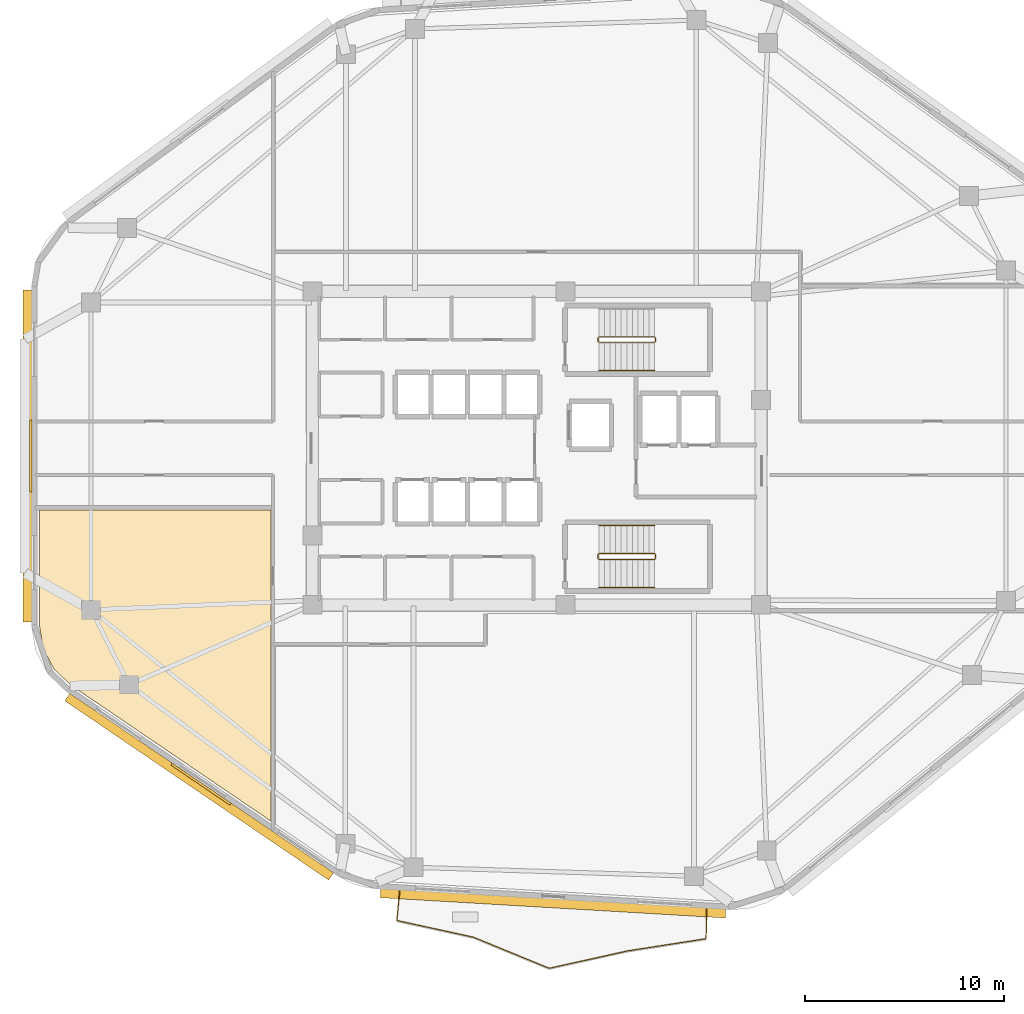
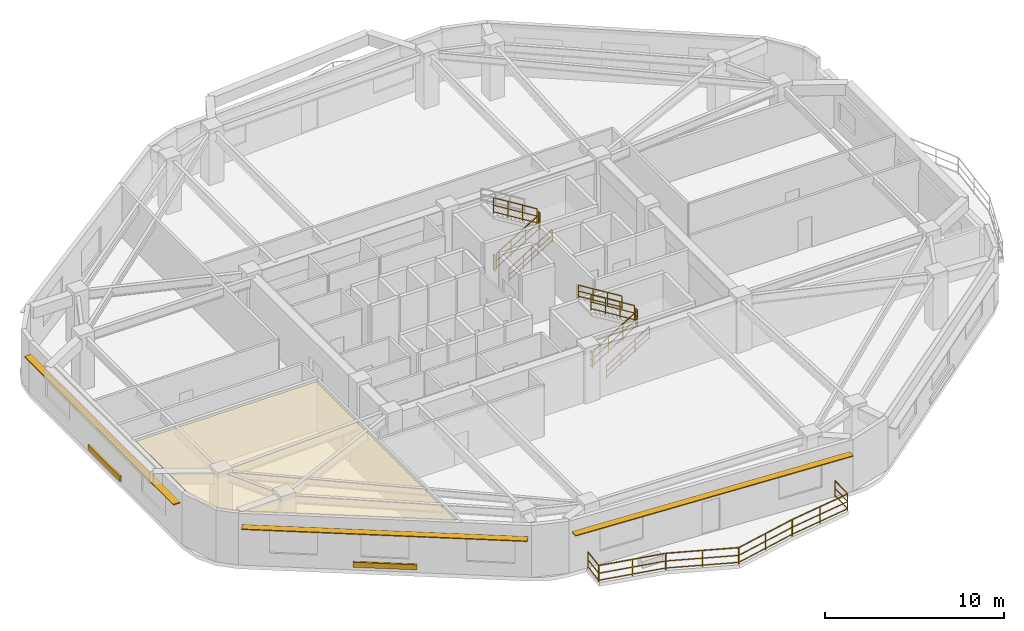
# One storey, part 7 of 8: 17 railings, 5 shading devices, 1 covering.
"""IFC4 building model written with IfcOpenShell, lengths in metres."""

from ifc_helpers import new_model, si_unit, direction, frame, origin, origin_2d, place, context, subcontext, project, spatial, polyline, rectangle, outline, extrude, material, layer, layer_set, type_object, element, save


model = new_model("IFC4")

# Units and contexts
model_context = context("Model", 3, precision=1e-05, world=origin(), true_north=direction((0.0, 1.0)))
body_context = subcontext(model_context, "Body", "Model", "MODEL_VIEW")
ifc_project = project(units=[si_unit("LENGTHUNIT", "METRE"), si_unit("AREAUNIT", "SQUARE_METRE"), si_unit("VOLUMEUNIT", "CUBIC_METRE"), si_unit("PLANEANGLEUNIT", "RADIAN"), si_unit("MASSUNIT", "GRAM", prefix="KILO")], contexts=[model_context])

# Site, building, storey
site_placement = place(None, origin())
site = spatial("IfcSite", under=ifc_project, at=site_placement, CompositionType="ELEMENT")
building_placement = place(site_placement, origin())
building = spatial("IfcBuilding", under=site, at=building_placement, Name="Zulverin Broadcast Headquarters", CompositionType="ELEMENT")
storey_placement = place(building_placement, frame((0.0, 0.0, 204.800048828125)))
storey = spatial("IfcBuildingStorey", under=building, at=storey_placement, Name="L52", CompositionType="ELEMENT", Elevation=204.800048828125)

# Covering
ifc_material_1 = material(Name="Perforated pale-metal acoustic baffle ceiling", Category="aluminium")
ifc_layer_1 = layer(ifc_material_1, 0.0400390625, Name="Perforated pale-metal acoustic baffle ceiling", Category="aluminium")
ifc_layer_set_1 = layer_set([ifc_layer_1], Name="Perforated pale-metal acoustic baffle ceiling")
covering_type = type_object("IfcCoveringType", Name="COV-CEIL-ACOU", PredefinedType="CEILING", material=ifc_layer_set_1)
covering_placement = place(storey_placement, frame((0.0, 0.0, 3.35986328125)))
element("IfcCovering", 1, at=covering_placement, inside=storey, type_object=covering_type, Name="L52 Acoustic Baffle Ceiling 03", PredefinedType="CEILING", context=body_context, shape_type="SweptSolid", body=[
    extrude(outline(polyline([(12.736083984375, 14.092041015625), (13.60400390625, 13.27197265625), (23.632080078125, 6.4560546875), (23.632080078125, 22.080078125), (12.0, 22.080078125), (12.0, 16.300048828125), (12.19189453125, 15.1240234375), (12.736083984375, 14.092041015625)])), origin(), (0.0, 0.0, 1.0), 0.0400390625),
])

# Railings
ifc_material_2 = material(Name="Brushed stainless steel & laminated glass balustrade", Category="steel")
railing_type_1 = type_object("IfcRailingType", Name="RL-GUARD-1150", PredefinedType="GUARDRAIL", material=ifc_material_2)
railing_1_placement = place(storey_placement, frame((30.113037109375, 2.927001953125, 0.0)))
element("IfcRailing", 2, at=railing_1_placement, inside=storey, type_object=railing_type_1, Name="L52 Vertical-Forest Balcony Guardrail BAL_S Segment 01", PredefinedType="GUARDRAIL", context=body_context, shape_type="SweptSolid", body=[
    extrude(rectangle(XDim=0.048095703125, YDim=0.048095703125, at=origin_2d()), frame((0.0, 0.0, 1.1259765625), z_axis=(-0.099091482002, -0.995078327668, 0.0), x_axis=(0.995078327668, -0.099091482002, 0.0)), (0.0, 0.0, 1.0), 1.466064453125),
    extrude(rectangle(XDim=0.0419921875, YDim=0.0419921875, at=origin_2d()), frame((0.0, 0.0, 0.597900390625), z_axis=(-0.099091482002, -0.995078327668, 0.0), x_axis=(0.995078327668, -0.099091482002, 0.0)), (0.0, 0.0, 1.0), 1.466064453125),
    extrude(rectangle(XDim=0.0419921875, YDim=0.0419921875, at=origin_2d()), frame((0.0, 0.0, 0.1201171875), z_axis=(-0.099091482002, -0.995078327668, 0.0), x_axis=(0.995078327668, -0.099091482002, 0.0)), (0.0, 0.0, 1.0), 1.466064453125),
    extrude(rectangle(XDim=0.0419921875, YDim=0.0419921875, at=origin_2d()), origin(), (0.0, 0.0, 1.0), 1.101806640625),
    extrude(rectangle(XDim=0.0419921875, YDim=0.0419921875, at=origin_2d()), frame((-0.145263671875, -1.458740234375, 0.0)), (0.0, 0.0, 1.0), 1.101806640625),
])
railing_2_placement = place(storey_placement, frame((29.98095703125, 1.4501953125, 0.0)))
element("IfcRailing", 3, at=railing_2_placement, inside=storey, type_object=railing_type_1, Name="L52 Vertical-Forest Balcony Guardrail BAL_S Segment 02", PredefinedType="GUARDRAIL", context=body_context, shape_type="SweptSolid", body=[
    extrude(rectangle(XDim=0.048095703125, YDim=0.048095703125, at=origin_2d()), frame((0.0, 0.0, 1.1259765625), z_axis=(0.976963054398, -0.213408505785, 0.0), x_axis=(0.213408505785, 0.976963054398, 0.0)), (0.0, 0.0, 1.0), 3.91357421875),
    extrude(rectangle(XDim=0.0419921875, YDim=0.0419921875, at=origin_2d()), frame((0.0, 0.0, 0.597900390625), z_axis=(0.976963054398, -0.213408505785, 0.0), x_axis=(0.213408505785, 0.976963054398, 0.0)), (0.0, 0.0, 1.0), 3.91357421875),
    extrude(rectangle(XDim=0.0419921875, YDim=0.0419921875, at=origin_2d()), frame((0.0, 0.0, 0.1201171875), z_axis=(0.976963054398, -0.213408505785, 0.0), x_axis=(0.213408505785, 0.976963054398, 0.0)), (0.0, 0.0, 1.0), 3.91357421875),
    extrude(rectangle(XDim=0.0419921875, YDim=0.0419921875, at=origin_2d()), origin(), (0.0, 0.0, 1.0), 1.101806640625),
    extrude(rectangle(XDim=0.0419921875, YDim=0.0419921875, at=origin_2d()), frame((1.91162109375, -0.41748046875, 0.0)), (0.0, 0.0, 1.0), 1.101806640625),
    extrude(rectangle(XDim=0.0419921875, YDim=0.0419921875, at=origin_2d()), frame((3.823486328125, -0.835205078125, 0.0)), (0.0, 0.0, 1.0), 1.101806640625),
])
railing_3_placement = place(storey_placement, frame((33.8330078125, 0.606201171875, 0.0)))
element("IfcRailing", 4, at=railing_3_placement, inside=storey, type_object=railing_type_1, Name="L52 Vertical-Forest Balcony Guardrail BAL_S Segment 03", PredefinedType="GUARDRAIL", context=body_context, shape_type="SweptSolid", body=[
    extrude(rectangle(XDim=0.048095703125, YDim=0.048095703125, at=origin_2d()), frame((0.0, 0.0, 1.1259765625), z_axis=(0.925191737159, -0.379499999332, 0.0), x_axis=(0.379499999332, 0.925191737159, 0.0)), (0.0, 0.0, 1.0), 4.08837890625),
    extrude(rectangle(XDim=0.0419921875, YDim=0.0419921875, at=origin_2d()), frame((0.0, 0.0, 0.597900390625), z_axis=(0.925191737159, -0.379499999332, 0.0), x_axis=(0.379499999332, 0.925191737159, 0.0)), (0.0, 0.0, 1.0), 4.08837890625),
    extrude(rectangle(XDim=0.0419921875, YDim=0.0419921875, at=origin_2d()), frame((0.0, 0.0, 0.1201171875), z_axis=(0.925191737159, -0.379499999332, 0.0), x_axis=(0.379499999332, 0.925191737159, 0.0)), (0.0, 0.0, 1.0), 4.08837890625),
    extrude(rectangle(XDim=0.0419921875, YDim=0.0419921875, at=origin_2d()), origin(), (0.0, 0.0, 1.0), 1.101806640625),
    extrude(rectangle(XDim=0.0419921875, YDim=0.0419921875, at=origin_2d()), frame((1.89111328125, -0.77587890625, 0.0)), (0.0, 0.0, 1.0), 1.101806640625),
    extrude(rectangle(XDim=0.0419921875, YDim=0.0419921875, at=origin_2d()), frame((3.782470703125, -1.551513671875, 0.0)), (0.0, 0.0, 1.0), 1.101806640625),
])
railing_4_placement = place(storey_placement, frame((37.64404296875, -0.94775390625, 0.0)))
element("IfcRailing", 5, at=railing_4_placement, inside=storey, type_object=railing_type_1, Name="L52 Vertical-Forest Balcony Guardrail BAL_S Segment 04", PredefinedType="GUARDRAIL", context=body_context, shape_type="SweptSolid", body=[
    extrude(rectangle(XDim=0.048095703125, YDim=0.048095703125, at=origin_2d()), frame((0.0, 0.0, 1.1259765625), z_axis=(0.976279856165, 0.216512453327, 0.0), x_axis=(-0.216512453327, 0.976279856165, 0.0)), (0.0, 0.0, 1.0), 4.02001953125),
    extrude(rectangle(XDim=0.0419921875, YDim=0.0419921875, at=origin_2d()), frame((0.0, 0.0, 0.597900390625), z_axis=(0.976279856165, 0.216512453327, 0.0), x_axis=(-0.216512453327, 0.976279856165, 0.0)), (0.0, 0.0, 1.0), 4.02001953125),
    extrude(rectangle(XDim=0.0419921875, YDim=0.0419921875, at=origin_2d()), frame((0.0, 0.0, 0.1201171875), z_axis=(0.976279856165, 0.216512453327, 0.0), x_axis=(-0.216512453327, 0.976279856165, 0.0)), (0.0, 0.0, 1.0), 4.02001953125),
    extrude(rectangle(XDim=0.0419921875, YDim=0.0419921875, at=origin_2d()), origin(), (0.0, 0.0, 1.0), 1.101806640625),
    extrude(rectangle(XDim=0.0419921875, YDim=0.0419921875, at=origin_2d()), frame((1.96240234375, 0.43505859375, 0.0)), (0.0, 0.0, 1.0), 1.101806640625),
    extrude(rectangle(XDim=0.0419921875, YDim=0.0419921875, at=origin_2d()), frame((3.924560546875, 0.870361328125, 0.0)), (0.0, 0.0, 1.0), 1.101806640625),
])
railing_5_placement = place(storey_placement, frame((41.59814453125, -0.072021484375, 0.0)))
element("IfcRailing", 6, at=railing_5_placement, inside=storey, type_object=railing_type_1, Name="L52 Vertical-Forest Balcony Guardrail BAL_S Segment 05", PredefinedType="GUARDRAIL", context=body_context, shape_type="SweptSolid", body=[
    extrude(rectangle(XDim=0.048095703125, YDim=0.048095703125, at=origin_2d()), frame((0.0, 0.0, 1.1259765625), z_axis=(0.988120634771, 0.153680223646, 0.0), x_axis=(-0.153680223646, 0.988120634771, 0.0)), (0.0, 0.0, 1.0), 3.95556640625),
    extrude(rectangle(XDim=0.0419921875, YDim=0.0419921875, at=origin_2d()), frame((0.0, 0.0, 0.597900390625), z_axis=(0.988120634771, 0.153680223646, 0.0), x_axis=(-0.153680223646, 0.988120634771, 0.0)), (0.0, 0.0, 1.0), 3.95556640625),
    extrude(rectangle(XDim=0.0419921875, YDim=0.0419921875, at=origin_2d()), frame((0.0, 0.0, 0.1201171875), z_axis=(0.988120634771, 0.153680223646, 0.0), x_axis=(-0.153680223646, 0.988120634771, 0.0)), (0.0, 0.0, 1.0), 3.95556640625),
    extrude(rectangle(XDim=0.0419921875, YDim=0.0419921875, at=origin_2d()), origin(), (0.0, 0.0, 1.0), 1.101806640625),
    extrude(rectangle(XDim=0.0419921875, YDim=0.0419921875, at=origin_2d()), frame((1.954345703125, 0.303955078125, 0.0)), (0.0, 0.0, 1.0), 1.101806640625),
    extrude(rectangle(XDim=0.0419921875, YDim=0.0419921875, at=origin_2d()), frame((3.90869140625, 0.60791015625, 0.0)), (0.0, 0.0, 1.0), 1.101806640625),
])
railing_6_placement = place(storey_placement, frame((45.52197265625, 0.55322265625, 0.0)))
element("IfcRailing", 7, at=railing_6_placement, inside=storey, type_object=railing_type_1, Name="L52 Vertical-Forest Balcony Guardrail BAL_S Segment 06", PredefinedType="GUARDRAIL", context=body_context, shape_type="SweptSolid", body=[
    extrude(rectangle(XDim=0.048095703125, YDim=0.048095703125, at=origin_2d()), frame((0.0, 0.0, 1.1259765625), z_axis=(0.018148550851, 0.999835301488, 0.0), x_axis=(-0.999835301488, 0.018148550851, 0.0)), (0.0, 0.0, 1.0), 1.46630859375),
    extrude(rectangle(XDim=0.0419921875, YDim=0.0419921875, at=origin_2d()), frame((0.0, 0.0, 0.597900390625), z_axis=(0.018148550851, 0.999835301488, 0.0), x_axis=(-0.999835301488, 0.018148550851, 0.0)), (0.0, 0.0, 1.0), 1.46630859375),
    extrude(rectangle(XDim=0.0419921875, YDim=0.0419921875, at=origin_2d()), frame((0.0, 0.0, 0.1201171875), z_axis=(0.018148550851, 0.999835301488, 0.0), x_axis=(-0.999835301488, 0.018148550851, 0.0)), (0.0, 0.0, 1.0), 1.46630859375),
    extrude(rectangle(XDim=0.0419921875, YDim=0.0419921875, at=origin_2d()), origin(), (0.0, 0.0, 1.0), 1.101806640625),
    extrude(rectangle(XDim=0.0419921875, YDim=0.0419921875, at=origin_2d()), frame((0.026611328125, 1.466064453125, 0.0)), (0.0, 0.0, 1.0), 1.101806640625),
])
ifc_material_3 = material(Name="Painted galvanized steel tubular guardrail S355JR", Category="steel")
railing_type_2 = type_object("IfcRailingType", Name="RL-ST-GUARD", PredefinedType="GUARDRAIL", material=ifc_material_3)
railing_7_placement = place(storey_placement, frame((40.1298828125, 30.5, 0.172607421875)))
element("IfcRailing", 8, at=railing_7_placement, inside=storey, type_object=railing_type_2, Name="L52 ST-1 stair guard 1", PredefinedType="GUARDRAIL", context=body_context, shape_type="SweptSolid", body=[
    extrude(rectangle(XDim=0.048095703125, YDim=0.048095703125, at=origin_2d()), frame((0.0, 0.0, 1.076171875), z_axis=(0.851089632645, 0.0, 0.525020415988), x_axis=(0.0, 1.0, 0.0)), (0.0, 0.0, 1.0), 3.2900390625),
    extrude(rectangle(XDim=0.0419921875, YDim=0.0419921875, at=origin_2d()), frame((0.0, 0.0, 0.572021484375), z_axis=(0.851089632645, 0.0, 0.525020415988), x_axis=(0.0, 1.0, 0.0)), (0.0, 0.0, 1.0), 3.2900390625),
    extrude(rectangle(XDim=0.0419921875, YDim=0.0419921875, at=origin_2d()), frame((0.0, 0.0, 0.1201171875), z_axis=(0.851089632645, 0.0, 0.525020415988), x_axis=(0.0, 1.0, 0.0)), (0.0, 0.0, 1.0), 3.2900390625),
    extrude(rectangle(XDim=0.0419921875, YDim=0.0419921875, at=origin_2d()), origin(), (0.0, 0.0, 1.0), 1.052001953125),
    extrude(rectangle(XDim=0.0419921875, YDim=0.0419921875, at=origin_2d()), frame((0.933349609375, 0.0, 0.57568359375)), (0.0, 0.0, 1.0), 1.052001953125),
    extrude(rectangle(XDim=0.0419921875, YDim=0.0419921875, at=origin_2d()), frame((1.86669921875, 0.0, 1.151611328125)), (0.0, 0.0, 1.0), 1.052001953125),
    extrude(rectangle(XDim=0.0419921875, YDim=0.0419921875, at=origin_2d()), frame((2.800048828125, 0.0, 1.727294921875)), (0.0, 0.0, 1.0), 1.052001953125),
])
railing_8_placement = place(storey_placement, frame((42.97998046875, 30.550048828125, 1.89990234375)))
element("IfcRailing", 9, at=railing_8_placement, inside=storey, type_object=railing_type_2, Name="L52 ST-1 stair guard 2", PredefinedType="GUARDRAIL", context=body_context, shape_type="SweptSolid", body=[
    extrude(rectangle(XDim=0.048095703125, YDim=0.048095703125, at=origin_2d()), frame((0.0, 0.0, 1.076171875), z_axis=(0.0, 1.0, 0.0), x_axis=(-1.0, 0.0, 0.0)), (0.0, 0.0, 1.0), 0.199951171875),
    extrude(rectangle(XDim=0.0419921875, YDim=0.0419921875, at=origin_2d()), frame((0.0, 0.0, 0.572021484375), z_axis=(0.0, 1.0, 0.0), x_axis=(-1.0, 0.0, 0.0)), (0.0, 0.0, 1.0), 0.199951171875),
    extrude(rectangle(XDim=0.0419921875, YDim=0.0419921875, at=origin_2d()), frame((0.0, 0.0, 0.1201171875), z_axis=(0.0, 1.0, 0.0), x_axis=(-1.0, 0.0, 0.0)), (0.0, 0.0, 1.0), 0.199951171875),
    extrude(rectangle(XDim=0.0419921875, YDim=0.0419921875, at=origin_2d()), origin(), (0.0, 0.0, 1.0), 1.052001953125),
    extrude(rectangle(XDim=0.0419921875, YDim=0.0419921875, at=origin_2d()), frame((0.0, 0.199951171875, 0.0)), (0.0, 0.0, 1.0), 1.052001953125),
])
railing_9_placement = place(storey_placement, frame((42.929931640625, 30.800048828125, 2.07275390625)))
element("IfcRailing", 10, at=railing_9_placement, inside=storey, type_object=railing_type_2, Name="L52 ST-1 stair guard 3", PredefinedType="GUARDRAIL", context=body_context, shape_type="SweptSolid", body=[
    extrude(rectangle(XDim=0.048095703125, YDim=0.048095703125, at=origin_2d()), frame((0.0, 0.0, 1.076171875), z_axis=(-0.851089632645, 0.0, 0.525020415988), x_axis=(0.0, -1.0, 0.0)), (0.0, 0.0, 1.0), 3.2900390625),
    extrude(rectangle(XDim=0.0419921875, YDim=0.0419921875, at=origin_2d()), frame((0.0, 0.0, 0.572021484375), z_axis=(-0.851089632645, 0.0, 0.525020415988), x_axis=(0.0, -1.0, 0.0)), (0.0, 0.0, 1.0), 3.2900390625),
    extrude(rectangle(XDim=0.0419921875, YDim=0.0419921875, at=origin_2d()), frame((0.0, 0.0, 0.1201171875), z_axis=(-0.851089632645, 0.0, 0.525020415988), x_axis=(0.0, -1.0, 0.0)), (0.0, 0.0, 1.0), 3.2900390625),
    extrude(rectangle(XDim=0.0419921875, YDim=0.0419921875, at=origin_2d()), origin(), (0.0, 0.0, 1.0), 1.052001953125),
    extrude(rectangle(XDim=0.0419921875, YDim=0.0419921875, at=origin_2d()), frame((-0.933349609375, 0.0, 0.57568359375)), (0.0, 0.0, 1.0), 1.052001953125),
    extrude(rectangle(XDim=0.0419921875, YDim=0.0419921875, at=origin_2d()), frame((-1.86669921875, 0.0, 1.151611328125)), (0.0, 0.0, 1.0), 1.052001953125),
    extrude(rectangle(XDim=0.0419921875, YDim=0.0419921875, at=origin_2d()), frame((-2.800048828125, 0.0, 1.727294921875)), (0.0, 0.0, 1.0), 1.052001953125),
])
railing_10_placement = place(storey_placement, frame((40.080078125, 30.550048828125, 0.0)))
element("IfcRailing", 11, at=railing_10_placement, inside=storey, type_object=railing_type_2, Name="L52 ST-1 stair guard 4", PredefinedType="GUARDRAIL", context=body_context, shape_type="SweptSolid", body=[
    extrude(rectangle(XDim=0.048095703125, YDim=0.048095703125, at=origin_2d()), frame((0.0, 0.0, 1.076171875), z_axis=(0.0, 1.0, 0.0), x_axis=(-1.0, 0.0, 0.0)), (0.0, 0.0, 1.0), 0.199951171875),
    extrude(rectangle(XDim=0.0419921875, YDim=0.0419921875, at=origin_2d()), frame((0.0, 0.0, 0.572021484375), z_axis=(0.0, 1.0, 0.0), x_axis=(-1.0, 0.0, 0.0)), (0.0, 0.0, 1.0), 0.199951171875),
    extrude(rectangle(XDim=0.0419921875, YDim=0.0419921875, at=origin_2d()), frame((0.0, 0.0, 0.1201171875), z_axis=(0.0, 1.0, 0.0), x_axis=(-1.0, 0.0, 0.0)), (0.0, 0.0, 1.0), 0.199951171875),
    extrude(rectangle(XDim=0.0419921875, YDim=0.0419921875, at=origin_2d()), origin(), (0.0, 0.0, 1.0), 1.052001953125),
    extrude(rectangle(XDim=0.0419921875, YDim=0.0419921875, at=origin_2d()), frame((0.0, 0.199951171875, 0.0)), (0.0, 0.0, 1.0), 1.052001953125),
])
railing_11_placement = place(storey_placement, frame((40.1298828125, 19.60009765625, 0.172607421875)))
element("IfcRailing", 12, at=railing_11_placement, inside=storey, type_object=railing_type_2, Name="L52 ST-2 stair guard 1", PredefinedType="GUARDRAIL", context=body_context, shape_type="SweptSolid", body=[
    extrude(rectangle(XDim=0.048095703125, YDim=0.048095703125, at=origin_2d()), frame((0.0, 0.0, 1.076171875), z_axis=(0.851089632645, 0.0, 0.525020415988), x_axis=(0.0, 1.0, 0.0)), (0.0, 0.0, 1.0), 3.2900390625),
    extrude(rectangle(XDim=0.0419921875, YDim=0.0419921875, at=origin_2d()), frame((0.0, 0.0, 0.572021484375), z_axis=(0.851089632645, 0.0, 0.525020415988), x_axis=(0.0, 1.0, 0.0)), (0.0, 0.0, 1.0), 3.2900390625),
    extrude(rectangle(XDim=0.0419921875, YDim=0.0419921875, at=origin_2d()), frame((0.0, 0.0, 0.1201171875), z_axis=(0.851089632645, 0.0, 0.525020415988), x_axis=(0.0, 1.0, 0.0)), (0.0, 0.0, 1.0), 3.2900390625),
    extrude(rectangle(XDim=0.0419921875, YDim=0.0419921875, at=origin_2d()), origin(), (0.0, 0.0, 1.0), 1.052001953125),
    extrude(rectangle(XDim=0.0419921875, YDim=0.0419921875, at=origin_2d()), frame((0.933349609375, 0.0, 0.57568359375)), (0.0, 0.0, 1.0), 1.052001953125),
    extrude(rectangle(XDim=0.0419921875, YDim=0.0419921875, at=origin_2d()), frame((1.86669921875, 0.0, 1.151611328125)), (0.0, 0.0, 1.0), 1.052001953125),
    extrude(rectangle(XDim=0.0419921875, YDim=0.0419921875, at=origin_2d()), frame((2.800048828125, 0.0, 1.727294921875)), (0.0, 0.0, 1.0), 1.052001953125),
])
railing_12_placement = place(storey_placement, frame((42.97998046875, 19.64990234375, 1.89990234375)))
element("IfcRailing", 13, at=railing_12_placement, inside=storey, type_object=railing_type_2, Name="L52 ST-2 stair guard 2", PredefinedType="GUARDRAIL", context=body_context, shape_type="SweptSolid", body=[
    extrude(rectangle(XDim=0.048095703125, YDim=0.048095703125, at=origin_2d()), frame((0.0, 0.0, 1.076171875), z_axis=(0.0, 1.0, 0.0), x_axis=(-1.0, 0.0, 0.0)), (0.0, 0.0, 1.0), 0.2001953125),
    extrude(rectangle(XDim=0.0419921875, YDim=0.0419921875, at=origin_2d()), frame((0.0, 0.0, 0.572021484375), z_axis=(0.0, 1.0, 0.0), x_axis=(-1.0, 0.0, 0.0)), (0.0, 0.0, 1.0), 0.2001953125),
    extrude(rectangle(XDim=0.0419921875, YDim=0.0419921875, at=origin_2d()), frame((0.0, 0.0, 0.1201171875), z_axis=(0.0, 1.0, 0.0), x_axis=(-1.0, 0.0, 0.0)), (0.0, 0.0, 1.0), 0.2001953125),
    extrude(rectangle(XDim=0.0419921875, YDim=0.0419921875, at=origin_2d()), origin(), (0.0, 0.0, 1.0), 1.052001953125),
    extrude(rectangle(XDim=0.0419921875, YDim=0.0419921875, at=origin_2d()), frame((0.0, 0.2001953125, 0.0)), (0.0, 0.0, 1.0), 1.052001953125),
])
railing_13_placement = place(storey_placement, frame((42.929931640625, 19.89990234375, 2.07275390625)))
element("IfcRailing", 14, at=railing_13_placement, inside=storey, type_object=railing_type_2, Name="L52 ST-2 stair guard 3", PredefinedType="GUARDRAIL", context=body_context, shape_type="SweptSolid", body=[
    extrude(rectangle(XDim=0.048095703125, YDim=0.048095703125, at=origin_2d()), frame((0.0, 0.0, 1.076171875), z_axis=(-0.851089632645, 0.0, 0.525020415988), x_axis=(0.0, -1.0, 0.0)), (0.0, 0.0, 1.0), 3.2900390625),
    extrude(rectangle(XDim=0.0419921875, YDim=0.0419921875, at=origin_2d()), frame((0.0, 0.0, 0.572021484375), z_axis=(-0.851089632645, 0.0, 0.525020415988), x_axis=(0.0, -1.0, 0.0)), (0.0, 0.0, 1.0), 3.2900390625),
    extrude(rectangle(XDim=0.0419921875, YDim=0.0419921875, at=origin_2d()), frame((0.0, 0.0, 0.1201171875), z_axis=(-0.851089632645, 0.0, 0.525020415988), x_axis=(0.0, -1.0, 0.0)), (0.0, 0.0, 1.0), 3.2900390625),
    extrude(rectangle(XDim=0.0419921875, YDim=0.0419921875, at=origin_2d()), origin(), (0.0, 0.0, 1.0), 1.052001953125),
    extrude(rectangle(XDim=0.0419921875, YDim=0.0419921875, at=origin_2d()), frame((-0.933349609375, 0.0, 0.57568359375)), (0.0, 0.0, 1.0), 1.052001953125),
    extrude(rectangle(XDim=0.0419921875, YDim=0.0419921875, at=origin_2d()), frame((-1.86669921875, 0.0, 1.151611328125)), (0.0, 0.0, 1.0), 1.052001953125),
    extrude(rectangle(XDim=0.0419921875, YDim=0.0419921875, at=origin_2d()), frame((-2.800048828125, 0.0, 1.727294921875)), (0.0, 0.0, 1.0), 1.052001953125),
])
railing_14_placement = place(storey_placement, frame((40.080078125, 19.64990234375, 0.0)))
element("IfcRailing", 15, at=railing_14_placement, inside=storey, type_object=railing_type_2, Name="L52 ST-2 stair guard 4", PredefinedType="GUARDRAIL", context=body_context, shape_type="SweptSolid", body=[
    extrude(rectangle(XDim=0.048095703125, YDim=0.048095703125, at=origin_2d()), frame((0.0, 0.0, 1.076171875), z_axis=(0.0, 1.0, 0.0), x_axis=(-1.0, 0.0, 0.0)), (0.0, 0.0, 1.0), 0.2001953125),
    extrude(rectangle(XDim=0.0419921875, YDim=0.0419921875, at=origin_2d()), frame((0.0, 0.0, 0.572021484375), z_axis=(0.0, 1.0, 0.0), x_axis=(-1.0, 0.0, 0.0)), (0.0, 0.0, 1.0), 0.2001953125),
    extrude(rectangle(XDim=0.0419921875, YDim=0.0419921875, at=origin_2d()), frame((0.0, 0.0, 0.1201171875), z_axis=(0.0, 1.0, 0.0), x_axis=(-1.0, 0.0, 0.0)), (0.0, 0.0, 1.0), 0.2001953125),
    extrude(rectangle(XDim=0.0419921875, YDim=0.0419921875, at=origin_2d()), origin(), (0.0, 0.0, 1.0), 1.052001953125),
    extrude(rectangle(XDim=0.0419921875, YDim=0.0419921875, at=origin_2d()), frame((0.0, 0.2001953125, 0.0)), (0.0, 0.0, 1.0), 1.052001953125),
])
ifc_material_4 = material(Name="Brushed stainless steel 48 mm handrail", Category="steel")
railing_type_3 = type_object("IfcRailingType", Name="RL-ST-HAND", PredefinedType="HANDRAIL", material=ifc_material_4)
for number, where, name in (
    (16, (40.1298828125, 29.10009765625, 0.172607421875), "L52 ST-1 stair handrail 1"),
    (17, (40.1298828125, 18.199951171875, 0.172607421875), "L52 ST-2 stair handrail 1"),
):
    element("IfcRailing", number, at=place(storey_placement, frame(where)), inside=storey, type_object=railing_type_3, Name=name, PredefinedType="HANDRAIL", context=body_context, shape_type="SweptSolid", body=[
        extrude(rectangle(XDim=0.048095703125, YDim=0.048095703125, at=origin_2d()), frame((0.0, 0.0, 0.8759765625), z_axis=(0.851089632645, 0.0, 0.525020415988), x_axis=(0.0, 1.0, 0.0)), (0.0, 0.0, 1.0), 3.2900390625),
        extrude(rectangle(XDim=0.0419921875, YDim=0.0419921875, at=origin_2d()), frame((0.0, 0.0, 0.468017578125), z_axis=(0.851089632645, 0.0, 0.525020415988), x_axis=(0.0, 1.0, 0.0)), (0.0, 0.0, 1.0), 3.2900390625),
        extrude(rectangle(XDim=0.0419921875, YDim=0.0419921875, at=origin_2d()), frame((0.0, 0.0, 0.1201171875), z_axis=(0.851089632645, 0.0, 0.525020415988), x_axis=(0.0, 1.0, 0.0)), (0.0, 0.0, 1.0), 3.2900390625),
        extrude(rectangle(XDim=0.0419921875, YDim=0.0419921875, at=origin_2d()), origin(), (0.0, 0.0, 1.0), 0.851806640625),
        extrude(rectangle(XDim=0.0419921875, YDim=0.0419921875, at=origin_2d()), frame((0.933349609375, 0.0, 0.57568359375)), (0.0, 0.0, 1.0), 0.851806640625),
        extrude(rectangle(XDim=0.0419921875, YDim=0.0419921875, at=origin_2d()), frame((1.86669921875, 0.0, 1.151611328125)), (0.0, 0.0, 1.0), 0.851806640625),
        extrude(rectangle(XDim=0.0419921875, YDim=0.0419921875, at=origin_2d()), frame((2.800048828125, 0.0, 1.727294921875)), (0.0, 0.0, 1.0), 0.851806640625),
    ])
railing_15_placement = place(storey_placement, frame((42.929931640625, 21.300048828125, 2.07275390625)))
element("IfcRailing", 18, at=railing_15_placement, inside=storey, type_object=railing_type_3, Name="L52 ST-2 stair handrail 2", PredefinedType="HANDRAIL", context=body_context, shape_type="SweptSolid", body=[
    extrude(rectangle(XDim=0.048095703125, YDim=0.048095703125, at=origin_2d()), frame((0.0, 0.0, 0.8759765625), z_axis=(-0.851089632645, 0.0, 0.525020415988), x_axis=(0.0, -1.0, 0.0)), (0.0, 0.0, 1.0), 3.2900390625),
    extrude(rectangle(XDim=0.0419921875, YDim=0.0419921875, at=origin_2d()), frame((0.0, 0.0, 0.468017578125), z_axis=(-0.851089632645, 0.0, 0.525020415988), x_axis=(0.0, -1.0, 0.0)), (0.0, 0.0, 1.0), 3.2900390625),
    extrude(rectangle(XDim=0.0419921875, YDim=0.0419921875, at=origin_2d()), frame((0.0, 0.0, 0.1201171875), z_axis=(-0.851089632645, 0.0, 0.525020415988), x_axis=(0.0, -1.0, 0.0)), (0.0, 0.0, 1.0), 3.2900390625),
    extrude(rectangle(XDim=0.0419921875, YDim=0.0419921875, at=origin_2d()), origin(), (0.0, 0.0, 1.0), 0.851806640625),
    extrude(rectangle(XDim=0.0419921875, YDim=0.0419921875, at=origin_2d()), frame((-0.933349609375, 0.0, 0.57568359375)), (0.0, 0.0, 1.0), 0.851806640625),
    extrude(rectangle(XDim=0.0419921875, YDim=0.0419921875, at=origin_2d()), frame((-1.86669921875, 0.0, 1.151611328125)), (0.0, 0.0, 1.0), 0.851806640625),
    extrude(rectangle(XDim=0.0419921875, YDim=0.0419921875, at=origin_2d()), frame((-2.800048828125, 0.0, 1.727294921875)), (0.0, 0.0, 1.0), 0.851806640625),
])

# Shading devices
ifc_material_5 = material(Name="Anodized pale-metal aluminium acoustic louvre", Category="aluminium")
shading_device_type_1 = type_object("IfcShadingDeviceType", Name="SHD-LOUVRE-350", PredefinedType="USERDEFINED", material=ifc_material_5)
for number, where, z_axis, x_axis, name in (
    (19, (11.56005859375, 24.803955078125, 0.244873046875), (0.0, 0.0, 1.0), (0.0, -1.0, 0.0), "L52 Spandrel Intake Louvre 7"),
    (20, (20.125, 8.306884765625, 0.244873046875), (0.0, 0.0, 1.0), (0.82702465201, -0.562165656162, 0.0), "L52 Spandrel Intake Louvre 8"),
):
    element("IfcShadingDevice", number, at=place(storey_placement, frame(where, z_axis=z_axis, x_axis=x_axis)), inside=storey, type_object=shading_device_type_1, Name=name, ObjectType="LOUVRE", PredefinedType="USERDEFINED", context=body_context, shape_type="SweptSolid", body=[
        extrude(rectangle(XDim=3.60009765625, YDim=0.1201171875, at=origin_2d()), origin(), (0.0, 0.0, 1.0), 0.35009765625),
    ])
ifc_material_6 = material(Name="Anodized pale-metal aluminium sunshade", Category="aluminium")
ifc_layer_2 = layer(ifc_material_6, 0.06005859375, Name="Anodized pale-metal aluminium sunshade", Category="aluminium")
ifc_layer_set_2 = layer_set([ifc_layer_2], Name="Anodized pale-metal aluminium sunshade")
shading_device_type_2 = type_object("IfcShadingDeviceType", Name="SS-01_PALE_METAL_ALUMINIUM_SUNSHADE", PredefinedType="USERDEFINED", material=ifc_layer_set_2)
shading_device_1_placement = place(storey_placement, frame((37.821533203125, 2.3134765625, 2.7099609375), z_axis=(0.0, 0.0, 1.0), x_axis=(0.998274435348, -0.058720965002, 0.0)))
element("IfcShadingDevice", 21, at=shading_device_1_placement, inside=storey, type_object=shading_device_type_2, Name="L52 Horizontal Pale-Metal Sunshade Band 1", ObjectType="SUNSHADE", PredefinedType="USERDEFINED", context=body_context, shape_type="SweptSolid", body=[
    extrude(rectangle(XDim=17.38232421875, YDim=0.449951171875, at=origin_2d()), origin(), (0.0, 0.0, 1.0), 0.06005859375),
])
shading_device_2_placement = place(storey_placement, frame((11.39990234375, 24.803955078125, 2.7099609375), z_axis=(0.0, 0.0, 1.0), x_axis=(0.0, -1.0, 0.0)))
element("IfcShadingDevice", 22, at=shading_device_2_placement, inside=storey, type_object=shading_device_type_2, Name="L52 Horizontal Pale-Metal Sunshade Band 7", ObjectType="SUNSHADE", PredefinedType="USERDEFINED", context=body_context, shape_type="SweptSolid", body=[
    extrude(rectangle(XDim=16.672607421875, YDim=0.449951171875, at=origin_2d()), origin(), (0.0, 0.0, 1.0), 0.06005859375),
])
shading_device_3_placement = place(storey_placement, frame((20.034912109375, 8.17431640625, 2.7099609375), z_axis=(0.0, 0.0, 1.0), x_axis=(0.82702465201, -0.562165656162, 0.0)))
element("IfcShadingDevice", 23, at=shading_device_3_placement, inside=storey, type_object=shading_device_type_2, Name="L52 Horizontal Pale-Metal Sunshade Band 8", ObjectType="SUNSHADE", PredefinedType="USERDEFINED", context=body_context, shape_type="SweptSolid", body=[
    extrude(rectangle(XDim=16.03515625, YDim=0.449951171875, at=origin_2d()), origin(), (0.0, 0.0, 1.0), 0.06005859375),
])

save(model, "model.ifc")
